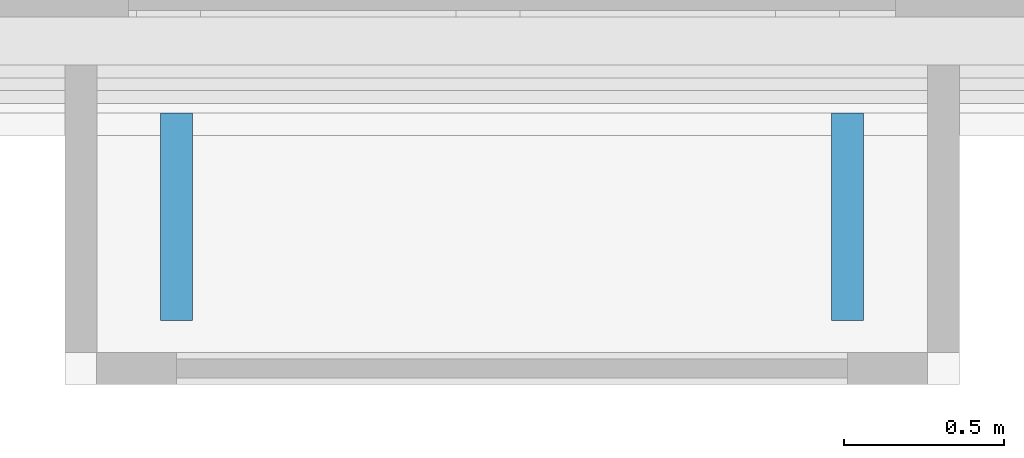
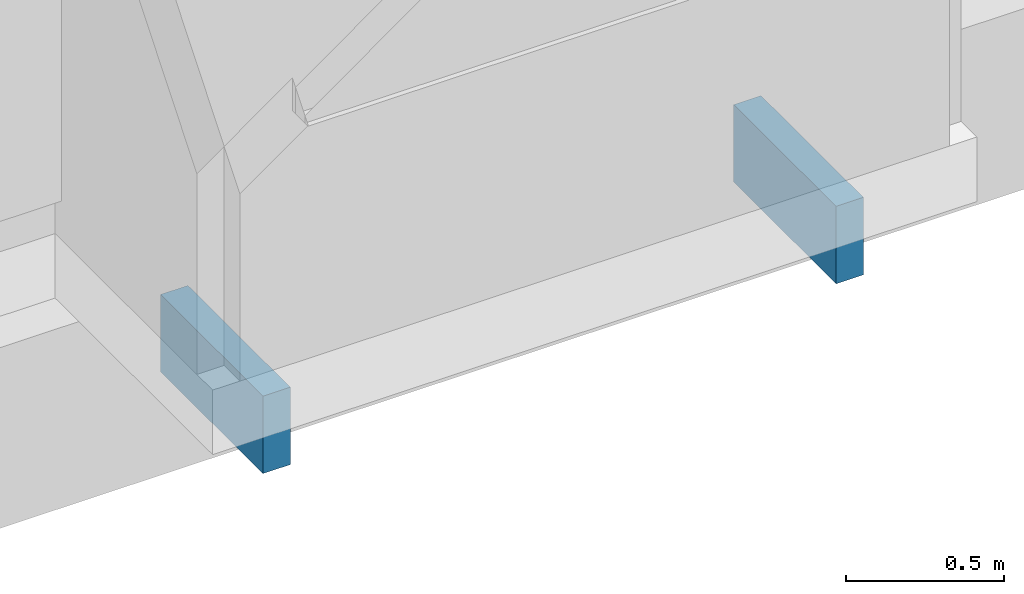
# One storey, part 51 of 70: 2 discrete accessories.
"""IFC4 building model written with IfcOpenShell, lengths in metres."""

from ifc_helpers import new_model, si_unit, direction, frame, origin, origin_2d, place, context, subcontext, project, spatial, rectangle, extrude, element, save


model = new_model("IFC4")

# Units and contexts
model_context = context("Model", 3, precision=1e-05, world=origin(), true_north=direction((0.0, 1.0)))
body_context = subcontext(model_context, "Body", "Model", "MODEL_VIEW")
ifc_project = project(units=[si_unit("LENGTHUNIT", "METRE"), si_unit("AREAUNIT", "SQUARE_METRE"), si_unit("VOLUMEUNIT", "CUBIC_METRE"), si_unit("PLANEANGLEUNIT", "RADIAN"), si_unit("MASSUNIT", "GRAM", prefix="KILO")], contexts=[model_context])

# Site, building, storey
site_placement = place(None, origin())
site = spatial("IfcSite", under=ifc_project, at=site_placement, CompositionType="ELEMENT")
building_placement = place(site_placement, origin())
building = spatial("IfcBuilding", under=site, at=building_placement, Name="Saffron Lane Theatres", CompositionType="ELEMENT")
storey_placement = place(building_placement, frame((0.0, 0.0, 12.0)))
storey = spatial("IfcBuildingStorey", under=building, at=storey_placement, Name="L02", CompositionType="ELEMENT", Elevation=12.0)

# Discrete accessories
for number, where, z_axis, x_axis, name in (
    (1, (58.125, 101.52490234375, -0.5498046875), (0.0, 0.0, 1.0), (-1.0, 0.0, 0.0), "Cumba bracket 4"),
    (2, (56.02490234375, 101.52490234375, -0.5498046875), (0.0, 0.0, 1.0), (-1.0, 0.0, 0.0), "Cumba bracket 4"),
):
    element("IfcDiscreteAccessory", number, at=place(storey_placement, frame(where, z_axis=z_axis, x_axis=x_axis)), inside=storey, Name=name, PredefinedType="BRACKET", context=body_context, shape_type="SweptSolid", body=[
        extrude(rectangle(XDim=0.10009765625, YDim=0.64990234375, at=origin_2d()), origin(), (0.0, 0.0, 1.0), 0.300048828125),
    ])

save(model, "model.ifc")
